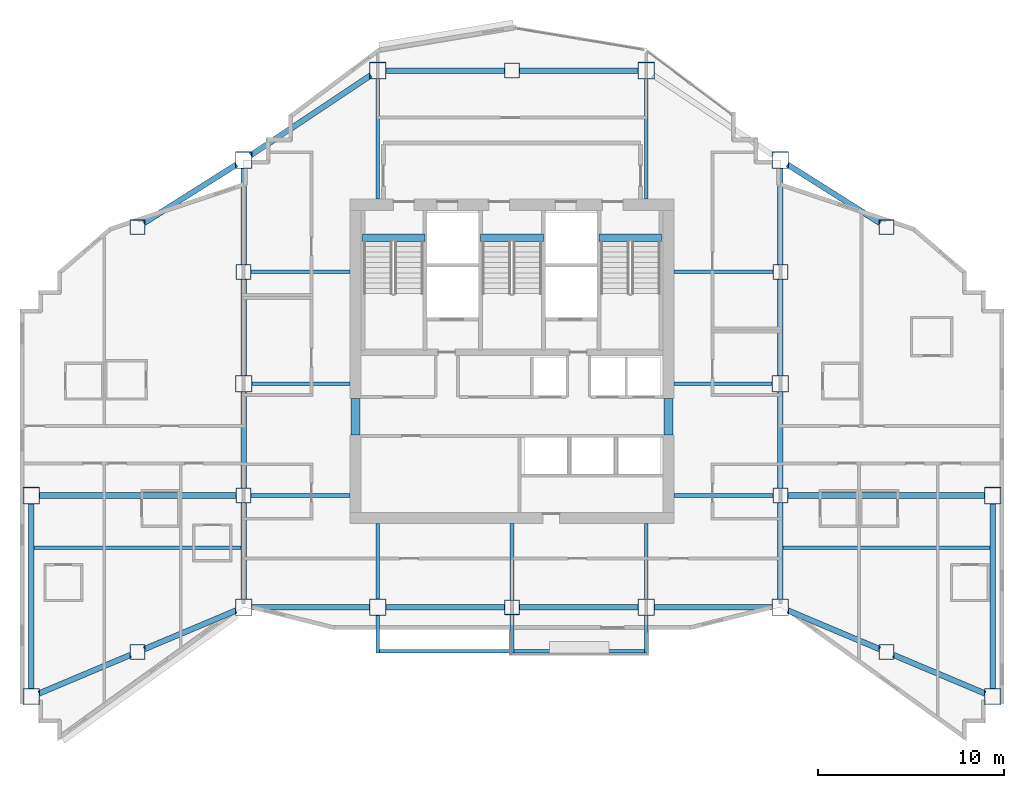
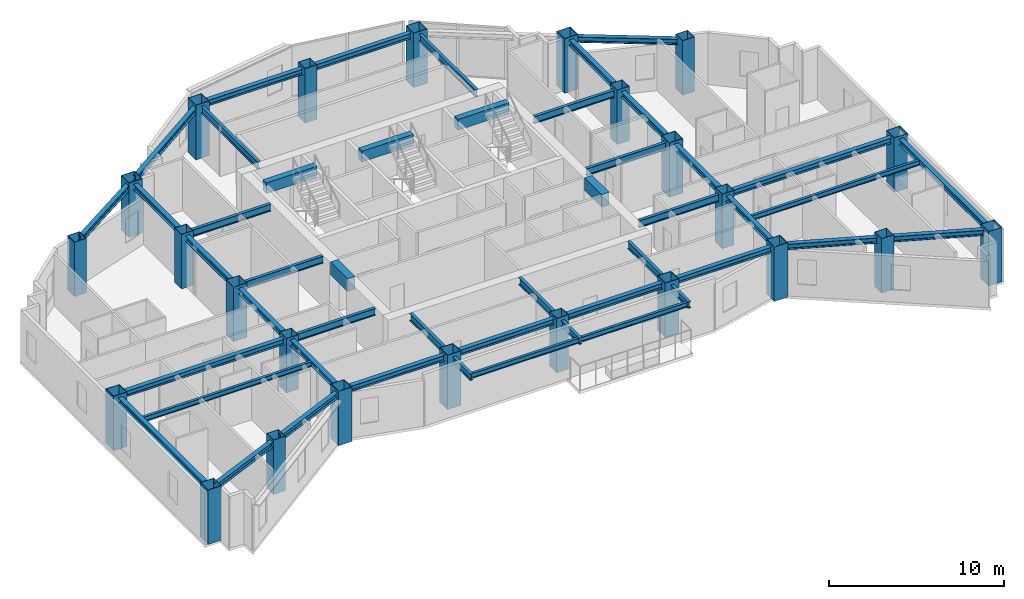
# One storey, part 1 of 11: 48 beams, 24 columns.
"""IFC4 building model written with IfcOpenShell, lengths in metres."""

from ifc_helpers import new_model, si_unit, direction, frame, origin, origin_2d, place, context, subcontext, project, spatial, rectangle, hollow_rectangle, i_section, extrude, material, material_profile, profile_set, type_object, element, save


model = new_model("IFC4")

# Units and contexts
model_context = context("Model", 3, precision=1e-05, world=origin(), true_north=direction((0.0, 1.0)))
body_context = subcontext(model_context, "Body", "Model", "MODEL_VIEW")
ifc_project = project(units=[si_unit("LENGTHUNIT", "METRE"), si_unit("AREAUNIT", "SQUARE_METRE"), si_unit("VOLUMEUNIT", "CUBIC_METRE"), si_unit("PLANEANGLEUNIT", "RADIAN"), si_unit("MASSUNIT", "GRAM", prefix="KILO")], contexts=[model_context])

# Site, building, storey
site_placement = place(None, origin())
site = spatial("IfcSite", under=ifc_project, at=site_placement, CompositionType="ELEMENT")
building_placement = place(site_placement, origin())
building = spatial("IfcBuilding", under=site, at=building_placement, Name="Haolan Belvedere Tower", CompositionType="ELEMENT")
storey_placement = place(building_placement, frame((0.0, 0.0, 199.39990234375)))
storey = spatial("IfcBuildingStorey", under=building, at=storey_placement, Name="L50", CompositionType="ELEMENT", Elevation=199.39990234375)

# Columns
ifc_material_1 = material(Name="Steel Q390GJC", Category="steel")
ifc_material_profile_1 = material_profile(ifc_material_1, hollow_rectangle(XDim=0.800048828125, YDim=0.800048828125, WallThickness=0.030029296875, at=origin_2d()), Name="Steel Q390GJC")
ifc_profile_set_1 = profile_set([ifc_material_profile_1], Name="Steel Q390GJC")
column_type_1 = type_object("IfcColumnType", Name="COL-BOX800x800x30", PredefinedType="COLUMN", material=ifc_profile_set_1)
for number, where, z_axis, x_axis, name in (
    (1, (24.0, 27.60009765625, 0.0), (0.0, 0.0, 1.0), (1.0, 0.0, 0.0), "L50 column TC-T3-W1 (BOX800x800x30)"),
    (2, (24.0, 39.60009765625, 0.0), (0.0, 0.0, 1.0), (1.0, 0.0, 0.0), "L50 column TC-T3-W2 (BOX800x800x30)"),
    (3, (52.800048828125, 27.60009765625, 0.0), (0.0, 0.0, 1.0), (1.0, 0.0, 0.0), "L50 column TC-T3-E1 (BOX800x800x30)"),
    (4, (52.800048828125, 39.60009765625, 0.0), (0.0, 0.0, 1.0), (1.0, 0.0, 0.0), "L50 column TC-T3-E2 (BOX800x800x30)"),
    (5, (38.39990234375, 21.60009765625, 0.0), (0.0, 0.0, 1.0), (1.0, 0.0, 0.0), "L50 column TC-T3-SM (BOX800x800x30)"),
    (6, (38.39990234375, 50.39990234375, 0.0), (0.0, 0.0, 1.0), (1.0, 0.0, 0.0), "L50 column TC-T3-NM (BOX800x800x30)"),
    (7, (18.300048828125, 19.199951171875, 0.0), (0.0, 0.0, 1.0), (1.0, 0.0, 0.0), "L50 column TC-T2-S1 (BOX800x800x30)"),
    (8, (18.300048828125, 42.0, 0.0), (0.0, 0.0, 1.0), (1.0, 0.0, 0.0), "L50 column TC-T2-N1 (BOX800x800x30)"),
    (9, (58.5, 19.199951171875, 0.0), (0.0, 0.0, 1.0), (1.0, 0.0, 0.0), "L50 column TC-T4-S1 (BOX800x800x30)"),
    (10, (58.5, 42.0, 0.0), (0.0, 0.0, 1.0), (1.0, 0.0, 0.0), "L50 column TC-T4-N1 (BOX800x800x30)"),
):
    element("IfcColumn", number, at=place(storey_placement, frame(where, z_axis=z_axis, x_axis=x_axis)), inside=storey, type_object=column_type_1, Name=name, PredefinedType="COLUMN", context=body_context, shape_type="SweptSolid", body=[
        extrude(hollow_rectangle(XDim=0.800048828125, YDim=0.800048828125, WallThickness=0.030029296875, at=origin_2d()), origin(), (0.0, 0.0, 1.0), 3.800048828125),
    ])
ifc_material_profile_2 = material_profile(ifc_material_1, hollow_rectangle(XDim=0.89990234375, YDim=0.89990234375, WallThickness=0.033935546875, at=origin_2d()), Name="Steel Q390GJC")
ifc_profile_set_2 = profile_set([ifc_material_profile_2], Name="Steel Q390GJC")
column_type_2 = type_object("IfcColumnType", Name="COL-BOX900x900x34", PredefinedType="COLUMN", material=ifc_profile_set_2)
for number, where, z_axis, x_axis, name in (
    (11, (24.0, 21.60009765625, 0.0), (0.0, 0.0, 1.0), (1.0, 0.0, 0.0), "L50 column MC-T3-SW (BOX900x900x34)"),
    (12, (24.0, 33.60009765625, 0.0), (0.0, 0.0, 1.0), (1.0, 0.0, 0.0), "L50 column MC-T3-MW (BOX900x900x34)"),
    (13, (24.0, 45.60009765625, 0.0), (0.0, 0.0, 1.0), (1.0, 0.0, 0.0), "L50 column MC-T3-NW (BOX900x900x34)"),
    (14, (52.800048828125, 21.60009765625, 0.0), (0.0, 0.0, 1.0), (1.0, 0.0, 0.0), "L50 column MC-T3-SE (BOX900x900x34)"),
    (15, (52.800048828125, 33.60009765625, 0.0), (0.0, 0.0, 1.0), (1.0, 0.0, 0.0), "L50 column MC-T3-ME (BOX900x900x34)"),
    (16, (52.800048828125, 45.60009765625, 0.0), (0.0, 0.0, 1.0), (1.0, 0.0, 0.0), "L50 column MC-T3-NE (BOX900x900x34)"),
    (17, (31.199951171875, 21.60009765625, 0.0), (0.0, 0.0, 1.0), (1.0, 0.0, 0.0), "L50 column MC-T3-S1 (BOX900x900x34)"),
    (18, (45.60009765625, 21.60009765625, 0.0), (0.0, 0.0, 1.0), (1.0, 0.0, 0.0), "L50 column MC-T3-S2 (BOX900x900x34)"),
    (19, (31.199951171875, 50.39990234375, 0.0), (0.0, 0.0, 1.0), (1.0, 0.0, 0.0), "L50 column MC-T3-N1 (BOX900x900x34)"),
    (20, (45.60009765625, 50.39990234375, 0.0), (0.0, 0.0, 1.0), (1.0, 0.0, 0.0), "L50 column MC-T3-N2 (BOX900x900x34)"),
    (21, (12.60009765625, 16.800048828125, 0.0), (0.0, 0.0, 1.0), (1.0, 0.0, 0.0), "L50 column MC-T2-SW (BOX900x900x34)"),
    (22, (12.60009765625, 27.60009765625, 0.0), (0.0, 0.0, 1.0), (1.0, 0.0, 0.0), "L50 column MC-T2-MW (BOX900x900x34)"),
    (23, (64.199951171875, 16.800048828125, 0.0), (0.0, 0.0, 1.0), (1.0, 0.0, 0.0), "L50 column MC-T4-SE (BOX900x900x34)"),
    (24, (64.199951171875, 27.60009765625, 0.0), (0.0, 0.0, 1.0), (1.0, 0.0, 0.0), "L50 column MC-T4-ME (BOX900x900x34)"),
):
    element("IfcColumn", number, at=place(storey_placement, frame(where, z_axis=z_axis, x_axis=x_axis)), inside=storey, type_object=column_type_2, Name=name, PredefinedType="COLUMN", context=body_context, shape_type="SweptSolid", body=[
        extrude(hollow_rectangle(XDim=0.89990234375, YDim=0.89990234375, WallThickness=0.033935546875, at=origin_2d()), origin(), (0.0, 0.0, 1.0), 3.800048828125),
    ])

# Beams
ifc_material_2 = material(Name="Steel Q355B", Category="steel")
ifc_material_profile_3 = material_profile(ifc_material_2, i_section(OverallWidth=0.300048828125, OverallDepth=0.389892578125, WebThickness=0.010009765625, FlangeThickness=0.01611328125, FilletRadius=0.02197265625, at=origin_2d()), Name="Steel Q355B")
ifc_profile_set_3 = profile_set([ifc_material_profile_3], Name="Steel Q355B")
beam_type_1 = type_object("IfcBeamType", Name="BM-HM390x300x10x16", PredefinedType="SPANDREL", material=ifc_profile_set_3)
for number, where, z_axis, x_axis, name in (
    (25, (24.0, 22.050048828125, 3.425048828125), (0.0, 1.0, 0.0), (-1.0, 0.0, 0.0), "L50 spandrel girder MC-T3-SW-TC-T3-W1"),
    (26, (24.0, 28.0, 3.425048828125), (0.0, 1.0, 0.0), (-1.0, 0.0, 0.0), "L50 spandrel girder TC-T3-W1-MC-T3-MW"),
    (27, (24.0, 34.050048828125, 3.425048828125), (0.0, 1.0, 0.0), (-1.0, 0.0, 0.0), "L50 spandrel girder MC-T3-MW-TC-T3-W2"),
    (28, (24.0, 40.0, 3.425048828125), (0.0, 1.0, 0.0), (-1.0, 0.0, 0.0), "L50 spandrel girder TC-T3-W2-MC-T3-NW"),
    (29, (52.800048828125, 22.050048828125, 3.425048828125), (0.0, 1.0, 0.0), (-1.0, 0.0, 0.0), "L50 spandrel girder MC-T3-SE-TC-T3-E1"),
    (30, (52.800048828125, 28.0, 3.425048828125), (0.0, 1.0, 0.0), (-1.0, 0.0, 0.0), "L50 spandrel girder TC-T3-E1-MC-T3-ME"),
    (31, (52.800048828125, 34.050048828125, 3.425048828125), (0.0, 1.0, 0.0), (-1.0, 0.0, 0.0), "L50 spandrel girder MC-T3-ME-TC-T3-E2"),
    (32, (52.800048828125, 40.0, 3.425048828125), (0.0, 1.0, 0.0), (-1.0, 0.0, 0.0), "L50 spandrel girder TC-T3-E2-MC-T3-NE"),
):
    element("IfcBeam", number, at=place(storey_placement, frame(where, z_axis=z_axis, x_axis=x_axis)), inside=storey, type_object=beam_type_1, Name=name, PredefinedType="SPANDREL", context=body_context, shape_type="SweptSolid", body=[
        extrude(i_section(OverallWidth=0.300048828125, OverallDepth=0.389892578125, WebThickness=0.010009765625, FlangeThickness=0.01611328125, FilletRadius=0.02197265625, at=origin_2d()), origin(), (0.0, 0.0, 1.0), 5.14990234375),
    ])
beam_1_placement = place(storey_placement, frame((24.449951171875, 21.60009765625, 3.425048828125), z_axis=(1.0, 0.0, 0.0), x_axis=(0.0, 1.0, 0.0)))
element("IfcBeam", 33, at=beam_1_placement, inside=storey, type_object=beam_type_1, Name="L50 spandrel girder MC-T3-SW-MC-T3-S1", PredefinedType="SPANDREL", context=body_context, shape_type="SweptSolid", body=[
    extrude(i_section(OverallWidth=0.300048828125, OverallDepth=0.389892578125, WebThickness=0.010009765625, FlangeThickness=0.01611328125, FilletRadius=0.02197265625, at=origin_2d()), origin(), (0.0, 0.0, 1.0), 6.300048828125),
])
beam_2_placement = place(storey_placement, frame((31.64990234375, 21.60009765625, 3.425048828125), z_axis=(1.0, 0.0, 0.0), x_axis=(0.0, 1.0, 0.0)))
element("IfcBeam", 34, at=beam_2_placement, inside=storey, type_object=beam_type_1, Name="L50 spandrel girder MC-T3-S1-TC-T3-SM", PredefinedType="SPANDREL", context=body_context, shape_type="SweptSolid", body=[
    extrude(i_section(OverallWidth=0.300048828125, OverallDepth=0.389892578125, WebThickness=0.010009765625, FlangeThickness=0.01611328125, FilletRadius=0.02197265625, at=origin_2d()), origin(), (0.0, 0.0, 1.0), 6.35009765625),
])
beam_3_placement = place(storey_placement, frame((38.800048828125, 21.60009765625, 3.425048828125), z_axis=(1.0, 0.0, 0.0), x_axis=(0.0, 1.0, 0.0)))
element("IfcBeam", 35, at=beam_3_placement, inside=storey, type_object=beam_type_1, Name="L50 spandrel girder TC-T3-SM-MC-T3-S2", PredefinedType="SPANDREL", context=body_context, shape_type="SweptSolid", body=[
    extrude(i_section(OverallWidth=0.300048828125, OverallDepth=0.389892578125, WebThickness=0.010009765625, FlangeThickness=0.01611328125, FilletRadius=0.02197265625, at=origin_2d()), origin(), (0.0, 0.0, 1.0), 6.349853515625),
])
beam_4_placement = place(storey_placement, frame((46.050048828125, 21.60009765625, 3.425048828125), z_axis=(1.0, 0.0, 0.0), x_axis=(0.0, 1.0, 0.0)))
element("IfcBeam", 36, at=beam_4_placement, inside=storey, type_object=beam_type_1, Name="L50 spandrel girder MC-T3-S2-MC-T3-SE", PredefinedType="SPANDREL", context=body_context, shape_type="SweptSolid", body=[
    extrude(i_section(OverallWidth=0.300048828125, OverallDepth=0.389892578125, WebThickness=0.010009765625, FlangeThickness=0.01611328125, FilletRadius=0.02197265625, at=origin_2d()), origin(), (0.0, 0.0, 1.0), 6.300048828125),
])
beam_5_placement = place(storey_placement, frame((24.37451171875, 45.849609375, 3.425048828125), z_axis=(0.832050294338, 0.554700196225, 0.0), x_axis=(-0.554700196225, 0.832050294338, 0.0)))
element("IfcBeam", 37, at=beam_5_placement, inside=storey, type_object=beam_type_1, Name="L50 spandrel girder MC-T3-NW-MC-T3-N1", PredefinedType="SPANDREL", context=body_context, shape_type="SweptSolid", body=[
    extrude(i_section(OverallWidth=0.300048828125, OverallDepth=0.389892578125, WebThickness=0.010009765625, FlangeThickness=0.01611328125, FilletRadius=0.02197265625, at=origin_2d()), origin(), (0.0, 0.0, 1.0), 7.75341796875),
])
beam_6_placement = place(storey_placement, frame((31.64990234375, 50.39990234375, 3.425048828125), z_axis=(1.0, 0.0, 0.0), x_axis=(0.0, 1.0, 0.0)))
element("IfcBeam", 38, at=beam_6_placement, inside=storey, type_object=beam_type_1, Name="L50 spandrel girder MC-T3-N1-TC-T3-NM", PredefinedType="SPANDREL", context=body_context, shape_type="SweptSolid", body=[
    extrude(i_section(OverallWidth=0.300048828125, OverallDepth=0.389892578125, WebThickness=0.010009765625, FlangeThickness=0.01611328125, FilletRadius=0.02197265625, at=origin_2d()), origin(), (0.0, 0.0, 1.0), 6.35009765625),
])
beam_7_placement = place(storey_placement, frame((38.800048828125, 50.39990234375, 3.425048828125), z_axis=(1.0, 0.0, 0.0), x_axis=(0.0, 1.0, 0.0)))
element("IfcBeam", 39, at=beam_7_placement, inside=storey, type_object=beam_type_1, Name="L50 spandrel girder TC-T3-NM-MC-T3-N2", PredefinedType="SPANDREL", context=body_context, shape_type="SweptSolid", body=[
    extrude(i_section(OverallWidth=0.300048828125, OverallDepth=0.389892578125, WebThickness=0.010009765625, FlangeThickness=0.01611328125, FilletRadius=0.02197265625, at=origin_2d()), origin(), (0.0, 0.0, 1.0), 6.349853515625),
])
beam_8_placement = place(storey_placement, frame((12.60009765625, 17.25, 3.425048828125), z_axis=(0.0, 1.0, 0.0), x_axis=(-1.0, 0.0, 0.0)))
element("IfcBeam", 40, at=beam_8_placement, inside=storey, type_object=beam_type_1, Name="L50 spandrel girder MC-T2-SW-MC-T2-MW", PredefinedType="SPANDREL", context=body_context, shape_type="SweptSolid", body=[
    extrude(i_section(OverallWidth=0.300048828125, OverallDepth=0.389892578125, WebThickness=0.010009765625, FlangeThickness=0.01611328125, FilletRadius=0.02197265625, at=origin_2d()), origin(), (0.0, 0.0, 1.0), 9.89990234375),
])
beam_9_placement = place(storey_placement, frame((13.0146484375, 16.974609375, 3.425048828125), z_axis=(0.921644850741, 0.388034494733, 0.0), x_axis=(-0.388034494733, 0.921644850741, 0.0)))
element("IfcBeam", 41, at=beam_9_placement, inside=storey, type_object=beam_type_1, Name="L50 spandrel girder MC-T2-SW-TC-T2-S1", PredefinedType="SPANDREL", context=body_context, shape_type="SweptSolid", body=[
    extrude(i_section(OverallWidth=0.300048828125, OverallDepth=0.389892578125, WebThickness=0.010009765625, FlangeThickness=0.01611328125, FilletRadius=0.02197265625, at=origin_2d()), origin(), (0.0, 0.0, 1.0), 5.334716796875),
])
beam_10_placement = place(storey_placement, frame((18.668701171875, 19.355224609375, 3.425048828125), z_axis=(0.921637959557, 0.388050862006, 0.0), x_axis=(-0.388050862006, 0.921637959557, 0.0)))
element("IfcBeam", 42, at=beam_10_placement, inside=storey, type_object=beam_type_1, Name="L50 spandrel girder TC-T2-S1-MC-T3-SW", PredefinedType="SPANDREL", context=body_context, shape_type="SweptSolid", body=[
    extrude(i_section(OverallWidth=0.300048828125, OverallDepth=0.389892578125, WebThickness=0.010009765625, FlangeThickness=0.01611328125, FilletRadius=0.02197265625, at=origin_2d()), origin(), (0.0, 0.0, 1.0), 5.33447265625),
])
beam_11_placement = place(storey_placement, frame((18.63818359375, 42.213623046875, 3.425048828125), z_axis=(0.845502688092, 0.533971164417, 0.0), x_axis=(-0.533971164417, 0.845502688092, 0.0)))
element("IfcBeam", 43, at=beam_11_placement, inside=storey, type_object=beam_type_1, Name="L50 spandrel girder TC-T2-N1-MC-T3-NW", PredefinedType="SPANDREL", context=body_context, shape_type="SweptSolid", body=[
    extrude(i_section(OverallWidth=0.300048828125, OverallDepth=0.389892578125, WebThickness=0.010009765625, FlangeThickness=0.01611328125, FilletRadius=0.02197265625, at=origin_2d()), origin(), (0.0, 0.0, 1.0), 5.8916015625),
])
beam_12_placement = place(storey_placement, frame((13.050048828125, 27.60009765625, 3.425048828125), z_axis=(1.0, 0.0, 0.0), x_axis=(0.0, 1.0, 0.0)))
element("IfcBeam", 44, at=beam_12_placement, inside=storey, type_object=beam_type_1, Name="L50 spandrel girder MC-T2-MW-TC-T3-W1", PredefinedType="SPANDREL", context=body_context, shape_type="SweptSolid", body=[
    extrude(i_section(OverallWidth=0.300048828125, OverallDepth=0.389892578125, WebThickness=0.010009765625, FlangeThickness=0.01611328125, FilletRadius=0.02197265625, at=origin_2d()), origin(), (0.0, 0.0, 1.0), 10.550048828125),
])
beam_13_placement = place(storey_placement, frame((64.199951171875, 17.25, 3.425048828125), z_axis=(0.0, 1.0, 0.0), x_axis=(-1.0, 0.0, 0.0)))
element("IfcBeam", 45, at=beam_13_placement, inside=storey, type_object=beam_type_1, Name="L50 spandrel girder MC-T4-SE-MC-T4-ME", PredefinedType="SPANDREL", context=body_context, shape_type="SweptSolid", body=[
    extrude(i_section(OverallWidth=0.300048828125, OverallDepth=0.389892578125, WebThickness=0.010009765625, FlangeThickness=0.01611328125, FilletRadius=0.02197265625, at=origin_2d()), origin(), (0.0, 0.0, 1.0), 9.89990234375),
])
for number, where, z_axis, x_axis, name in (
    (46, (53.21484375, 21.42529296875, 3.425048828125), (0.921637959557, -0.388050862006, 0.0), (0.388050862006, 0.921637959557, 0.0), "L50 spandrel girder MC-T3-SE-TC-T4-S1"),
    (47, (58.86865234375, 19.044677734375, 3.425048828125), (0.921637959557, -0.388050862006, 0.0), (0.388050862006, 0.921637959557, 0.0), "L50 spandrel girder TC-T4-S1-MC-T4-SE"),
):
    element("IfcBeam", number, at=place(storey_placement, frame(where, z_axis=z_axis, x_axis=x_axis)), inside=storey, type_object=beam_type_1, Name=name, PredefinedType="SPANDREL", context=body_context, shape_type="SweptSolid", body=[
        extrude(i_section(OverallWidth=0.300048828125, OverallDepth=0.389892578125, WebThickness=0.010009765625, FlangeThickness=0.01611328125, FilletRadius=0.02197265625, at=origin_2d()), origin(), (0.0, 0.0, 1.0), 5.33447265625),
    ])
beam_14_placement = place(storey_placement, frame((53.180419921875, 45.359619140625, 3.425048828125), z_axis=(0.845502688092, -0.533971164417, 0.0), x_axis=(0.533971164417, 0.845502688092, 0.0)))
element("IfcBeam", 48, at=beam_14_placement, inside=storey, type_object=beam_type_1, Name="L50 spandrel girder MC-T3-NE-TC-T4-N1", PredefinedType="SPANDREL", context=body_context, shape_type="SweptSolid", body=[
    extrude(i_section(OverallWidth=0.300048828125, OverallDepth=0.389892578125, WebThickness=0.010009765625, FlangeThickness=0.01611328125, FilletRadius=0.02197265625, at=origin_2d()), origin(), (0.0, 0.0, 1.0), 5.8916015625),
])
beam_15_placement = place(storey_placement, frame((53.199951171875, 27.60009765625, 3.425048828125), z_axis=(1.0, 0.0, 0.0), x_axis=(0.0, 1.0, 0.0)))
element("IfcBeam", 49, at=beam_15_placement, inside=storey, type_object=beam_type_1, Name="L50 spandrel girder TC-T3-E1-MC-T4-ME", PredefinedType="SPANDREL", context=body_context, shape_type="SweptSolid", body=[
    extrude(i_section(OverallWidth=0.300048828125, OverallDepth=0.389892578125, WebThickness=0.010009765625, FlangeThickness=0.01611328125, FilletRadius=0.02197265625, at=origin_2d()), origin(), (0.0, 0.0, 1.0), 10.550048828125),
])
ifc_material_profile_4 = material_profile(ifc_material_2, i_section(OverallWidth=0.175048828125, OverallDepth=0.35009765625, WebThickness=0.007080078125, FlangeThickness=0.010986328125, FilletRadius=0.012939453125, at=origin_2d()), Name="Steel Q355B")
ifc_profile_set_4 = profile_set([ifc_material_profile_4], Name="Steel Q355B")
beam_type_2 = type_object("IfcBeamType", Name="BM-HN350x175x7x11", PredefinedType="JOIST", material=ifc_profile_set_4)
for number, where, z_axis, x_axis, name in (
    (50, (12.75, 24.800048828125, 3.445068359375), (1.0, 0.0, 0.0), (0.0, 1.0, 0.0), "L50 west wing floor joist 1"),
    (51, (52.949951171875, 24.800048828125, 3.445068359375), (1.0, 0.0, 0.0), (0.0, 1.0, 0.0), "L50 east wing floor joist 1"),
):
    element("IfcBeam", number, at=place(storey_placement, frame(where, z_axis=z_axis, x_axis=x_axis)), inside=storey, type_object=beam_type_2, Name=name, PredefinedType="JOIST", context=body_context, shape_type="SweptSolid", body=[
        extrude(i_section(OverallWidth=0.175048828125, OverallDepth=0.35009765625, WebThickness=0.007080078125, FlangeThickness=0.010986328125, FilletRadius=0.012939453125, at=origin_2d()), origin(), (0.0, 0.0, 1.0), 11.10009765625),
    ])
for number, where, z_axis, x_axis, name in (
    (52, (31.300048828125, 19.239990234375, 3.39501953125), (1.0, 0.0, 0.0), (0.0, 1.0, 0.0), "L51 tree-balcony front trimmer beam 1"),
    (53, (38.5, 19.239990234375, 3.39501953125), (1.0, 0.0, 0.0), (0.0, 1.0, 0.0), "L51 tree-balcony front trimmer beam 2"),
):
    element("IfcBeam", number, at=place(storey_placement, frame(where, z_axis=z_axis, x_axis=x_axis)), inside=storey, type_object=beam_type_2, Name=name, PredefinedType="BEAM", context=body_context, shape_type="SweptSolid", body=[
        extrude(i_section(OverallWidth=0.175048828125, OverallDepth=0.35009765625, WebThickness=0.007080078125, FlangeThickness=0.010986328125, FilletRadius=0.012939453125, at=origin_2d()), origin(), (0.0, 0.0, 1.0), 7.0),
    ])
ifc_material_profile_5 = material_profile(ifc_material_2, i_section(OverallWidth=0.199951171875, OverallDepth=0.449951171875, WebThickness=0.009033203125, FlangeThickness=0.013916015625, FilletRadius=0.01611328125, at=origin_2d()), Name="Steel Q355B")
ifc_profile_set_5 = profile_set([ifc_material_profile_5], Name="Steel Q355B")
beam_type_3 = type_object("IfcBeamType", Name="BM-HN450x200x9x14", PredefinedType="BEAM", material=ifc_profile_set_5)
beam_16_placement = place(storey_placement, frame((31.199951171875, 21.14990234375, 3.34521484375), z_axis=(0.0, -1.0, 0.0), x_axis=(1.0, 0.0, 0.0)))
element("IfcBeam", 54, at=beam_16_placement, inside=storey, type_object=beam_type_3, Name="L51 tree-balcony column cantilever MC-T3-S1", PredefinedType="BEAM", context=body_context, shape_type="SweptSolid", body=[
    extrude(i_section(OverallWidth=0.199951171875, OverallDepth=0.449951171875, WebThickness=0.009033203125, FlangeThickness=0.013916015625, FilletRadius=0.01611328125, at=origin_2d()), origin(), (0.0, 0.0, 1.0), 2.010009765625),
])
beam_17_placement = place(storey_placement, frame((38.39990234375, 21.199951171875, 3.34521484375), z_axis=(0.0, -1.0, 0.0), x_axis=(1.0, 0.0, 0.0)))
element("IfcBeam", 55, at=beam_17_placement, inside=storey, type_object=beam_type_3, Name="L51 tree-balcony column cantilever TC-T3-SM", PredefinedType="BEAM", context=body_context, shape_type="SweptSolid", body=[
    extrude(i_section(OverallWidth=0.199951171875, OverallDepth=0.449951171875, WebThickness=0.009033203125, FlangeThickness=0.013916015625, FilletRadius=0.01611328125, at=origin_2d()), origin(), (0.0, 0.0, 1.0), 2.06005859375),
])
beam_18_placement = place(storey_placement, frame((45.60009765625, 21.14990234375, 3.34521484375), z_axis=(0.0, -1.0, 0.0), x_axis=(1.0, 0.0, 0.0)))
element("IfcBeam", 56, at=beam_18_placement, inside=storey, type_object=beam_type_3, Name="L51 tree-balcony column cantilever MC-T3-S2", PredefinedType="BEAM", context=body_context, shape_type="SweptSolid", body=[
    extrude(i_section(OverallWidth=0.199951171875, OverallDepth=0.449951171875, WebThickness=0.009033203125, FlangeThickness=0.013916015625, FilletRadius=0.01611328125, at=origin_2d()), origin(), (0.0, 0.0, 1.0), 2.010009765625),
])
ifc_material_profile_6 = material_profile(ifc_material_2, i_section(OverallWidth=0.199951171875, OverallDepth=0.5, WebThickness=0.010009765625, FlangeThickness=0.01611328125, FilletRadius=0.02001953125, at=origin_2d()), Name="Steel Q355B")
ifc_profile_set_6 = profile_set([ifc_material_profile_6], Name="Steel Q355B")
beam_type_4 = type_object("IfcBeamType", Name="BM-HN500x200x10x16", PredefinedType="BEAM", material=ifc_profile_set_6)
beam_19_placement = place(storey_placement, frame((24.449951171875, 33.60009765625, 3.3701171875), z_axis=(1.0, 0.0, 0.0), x_axis=(0.0, 1.0, 0.0)))
element("IfcBeam", 57, at=beam_19_placement, inside=storey, type_object=beam_type_4, Name="L50 core tie beam from MC-T3-MW", PredefinedType="BEAM", context=body_context, shape_type="SweptSolid", body=[
    extrude(i_section(OverallWidth=0.199951171875, OverallDepth=0.5, WebThickness=0.010009765625, FlangeThickness=0.01611328125, FilletRadius=0.02001953125, at=origin_2d()), origin(), (0.0, 0.0, 1.0), 5.25),
])
for number, where, z_axis, x_axis, name in (
    (58, (24.39990234375, 27.60009765625, 3.3701171875), (1.0, 0.0, 0.0), (0.0, 1.0, 0.0), "L50 core tie beam from TC-T3-W1"),
    (59, (24.39990234375, 39.60009765625, 3.3701171875), (1.0, 0.0, 0.0), (0.0, 1.0, 0.0), "L50 core tie beam from TC-T3-W2"),
):
    element("IfcBeam", number, at=place(storey_placement, frame(where, z_axis=z_axis, x_axis=x_axis)), inside=storey, type_object=beam_type_4, Name=name, PredefinedType="BEAM", context=body_context, shape_type="SweptSolid", body=[
        extrude(i_section(OverallWidth=0.199951171875, OverallDepth=0.5, WebThickness=0.010009765625, FlangeThickness=0.01611328125, FilletRadius=0.02001953125, at=origin_2d()), origin(), (0.0, 0.0, 1.0), 5.300048828125),
    ])
beam_20_placement = place(storey_placement, frame((52.35009765625, 33.60009765625, 3.3701171875), z_axis=(-1.0, 0.0, 0.0), x_axis=(0.0, -1.0, 0.0)))
element("IfcBeam", 60, at=beam_20_placement, inside=storey, type_object=beam_type_4, Name="L50 core tie beam from MC-T3-ME", PredefinedType="BEAM", context=body_context, shape_type="SweptSolid", body=[
    extrude(i_section(OverallWidth=0.199951171875, OverallDepth=0.5, WebThickness=0.010009765625, FlangeThickness=0.01611328125, FilletRadius=0.02001953125, at=origin_2d()), origin(), (0.0, 0.0, 1.0), 5.25),
])
for number, where, z_axis, x_axis, name in (
    (61, (52.39990234375, 27.60009765625, 3.3701171875), (-1.0, 0.0, 0.0), (0.0, -1.0, 0.0), "L50 core tie beam from TC-T3-E1"),
    (62, (52.39990234375, 39.60009765625, 3.3701171875), (-1.0, 0.0, 0.0), (0.0, -1.0, 0.0), "L50 core tie beam from TC-T3-E2"),
):
    element("IfcBeam", number, at=place(storey_placement, frame(where, z_axis=z_axis, x_axis=x_axis)), inside=storey, type_object=beam_type_4, Name=name, PredefinedType="BEAM", context=body_context, shape_type="SweptSolid", body=[
        extrude(i_section(OverallWidth=0.199951171875, OverallDepth=0.5, WebThickness=0.010009765625, FlangeThickness=0.01611328125, FilletRadius=0.02001953125, at=origin_2d()), origin(), (0.0, 0.0, 1.0), 5.2998046875),
    ])
beam_21_placement = place(storey_placement, frame((31.199951171875, 22.050048828125, 3.3701171875), z_axis=(0.0, 1.0, 0.0), x_axis=(-1.0, 0.0, 0.0)))
element("IfcBeam", 63, at=beam_21_placement, inside=storey, type_object=beam_type_4, Name="L50 core tie beam from MC-T3-S1", PredefinedType="BEAM", context=body_context, shape_type="SweptSolid", body=[
    extrude(i_section(OverallWidth=0.199951171875, OverallDepth=0.5, WebThickness=0.010009765625, FlangeThickness=0.01611328125, FilletRadius=0.02001953125, at=origin_2d()), origin(), (0.0, 0.0, 1.0), 4.050048828125),
])
beam_22_placement = place(storey_placement, frame((38.39990234375, 22.0, 3.3701171875), z_axis=(0.0, 1.0, 0.0), x_axis=(-1.0, 0.0, 0.0)))
element("IfcBeam", 64, at=beam_22_placement, inside=storey, type_object=beam_type_4, Name="L50 core tie beam from TC-T3-SM", PredefinedType="BEAM", context=body_context, shape_type="SweptSolid", body=[
    extrude(i_section(OverallWidth=0.199951171875, OverallDepth=0.5, WebThickness=0.010009765625, FlangeThickness=0.01611328125, FilletRadius=0.02001953125, at=origin_2d()), origin(), (0.0, 0.0, 1.0), 4.10009765625),
])
beam_23_placement = place(storey_placement, frame((45.60009765625, 22.050048828125, 3.3701171875), z_axis=(0.0, 1.0, 0.0), x_axis=(-1.0, 0.0, 0.0)))
element("IfcBeam", 65, at=beam_23_placement, inside=storey, type_object=beam_type_4, Name="L50 core tie beam from MC-T3-S2", PredefinedType="BEAM", context=body_context, shape_type="SweptSolid", body=[
    extrude(i_section(OverallWidth=0.199951171875, OverallDepth=0.5, WebThickness=0.010009765625, FlangeThickness=0.01611328125, FilletRadius=0.02001953125, at=origin_2d()), origin(), (0.0, 0.0, 1.0), 4.050048828125),
])
for number, where, z_axis, x_axis, name in (
    (66, (31.199951171875, 49.949951171875, 3.3701171875), (0.0, -1.0, 0.0), (1.0, 0.0, 0.0), "L50 core tie beam from MC-T3-N1"),
    (67, (45.60009765625, 49.949951171875, 3.3701171875), (0.0, -1.0, 0.0), (1.0, 0.0, 0.0), "L50 core tie beam from MC-T3-N2"),
):
    element("IfcBeam", number, at=place(storey_placement, frame(where, z_axis=z_axis, x_axis=x_axis)), inside=storey, type_object=beam_type_4, Name=name, PredefinedType="BEAM", context=body_context, shape_type="SweptSolid", body=[
        extrude(i_section(OverallWidth=0.199951171875, OverallDepth=0.5, WebThickness=0.010009765625, FlangeThickness=0.01611328125, FilletRadius=0.02001953125, at=origin_2d()), origin(), (0.0, 0.0, 1.0), 6.449951171875),
    ])
ifc_material_3 = material(Name="Concrete C50/60", Category="concrete")
ifc_material_profile_7 = material_profile(ifc_material_3, rectangle(XDim=0.39990234375, YDim=0.75, at=origin_2d()), Name="Concrete C50/60")
ifc_profile_set_7 = profile_set([ifc_material_profile_7], Name="Concrete C50/60")
beam_type_5 = type_object("IfcBeamType", Name="BM-RC400x750", PredefinedType="T_BEAM", material=ifc_profile_set_7)
beam_24_placement = place(storey_placement, frame((30.3798828125, 41.429931640625, 3.425048828125), z_axis=(1.0, 0.0, 0.0), x_axis=(0.0, 1.0, 0.0)))
element("IfcBeam", 68, at=beam_24_placement, inside=storey, type_object=beam_type_5, Name="L51 stair ST1 RC header trimmer beam", PredefinedType="BEAM", context=body_context, shape_type="SweptSolid", body=[
    extrude(rectangle(XDim=0.39990234375, YDim=0.75, at=origin_2d()), origin(), (0.0, 0.0, 1.0), 3.360107421875),
])
beam_25_placement = place(storey_placement, frame((36.699951171875, 41.429931640625, 3.425048828125), z_axis=(1.0, 0.0, 0.0), x_axis=(0.0, 1.0, 0.0)))
element("IfcBeam", 69, at=beam_25_placement, inside=storey, type_object=beam_type_5, Name="L51 stair ST3 RC header trimmer beam", PredefinedType="BEAM", context=body_context, shape_type="SweptSolid", body=[
    extrude(rectangle(XDim=0.39990234375, YDim=0.75, at=origin_2d()), origin(), (0.0, 0.0, 1.0), 3.400146484375),
])
beam_26_placement = place(storey_placement, frame((43.06005859375, 41.429931640625, 3.425048828125), z_axis=(1.0, 0.0, 0.0), x_axis=(0.0, 1.0, 0.0)))
element("IfcBeam", 70, at=beam_26_placement, inside=storey, type_object=beam_type_5, Name="L51 stair ST2 RC header trimmer beam", PredefinedType="BEAM", context=body_context, shape_type="SweptSolid", body=[
    extrude(rectangle(XDim=0.39990234375, YDim=0.75, at=origin_2d()), origin(), (0.0, 0.0, 1.0), 3.35986328125),
])
ifc_material_4 = material(Name="Concrete C60/75", Category="concrete")
ifc_material_profile_8 = material_profile(ifc_material_4, rectangle(XDim=0.5, YDim=0.89990234375, at=origin_2d()), Name="Concrete C60/75")
ifc_profile_set_8 = profile_set([ifc_material_profile_8], Name="Concrete C60/75")
beam_type_6 = type_object("IfcBeamType", Name="BM-RC500x900", PredefinedType="LINTEL", material=ifc_profile_set_8)
for number, where, z_axis, x_axis, name in (
    (71, (30.0, 30.85009765625, 3.170166015625), (0.0, 1.0, 0.0), (-1.0, 0.0, 0.0), "L50 west core coupling beam CB-01"),
    (72, (46.800048828125, 30.85009765625, 3.170166015625), (0.0, 1.0, 0.0), (-1.0, 0.0, 0.0), "L50 east core coupling beam CB-01"),
):
    element("IfcBeam", number, at=place(storey_placement, frame(where, z_axis=z_axis, x_axis=x_axis)), inside=storey, type_object=beam_type_6, Name=name, PredefinedType="LINTEL", context=body_context, shape_type="SweptSolid", body=[
        extrude(rectangle(XDim=0.5, YDim=0.89990234375, at=origin_2d()), origin(), (0.0, 0.0, 1.0), 1.949951171875),
    ])

save(model, "model.ifc")
